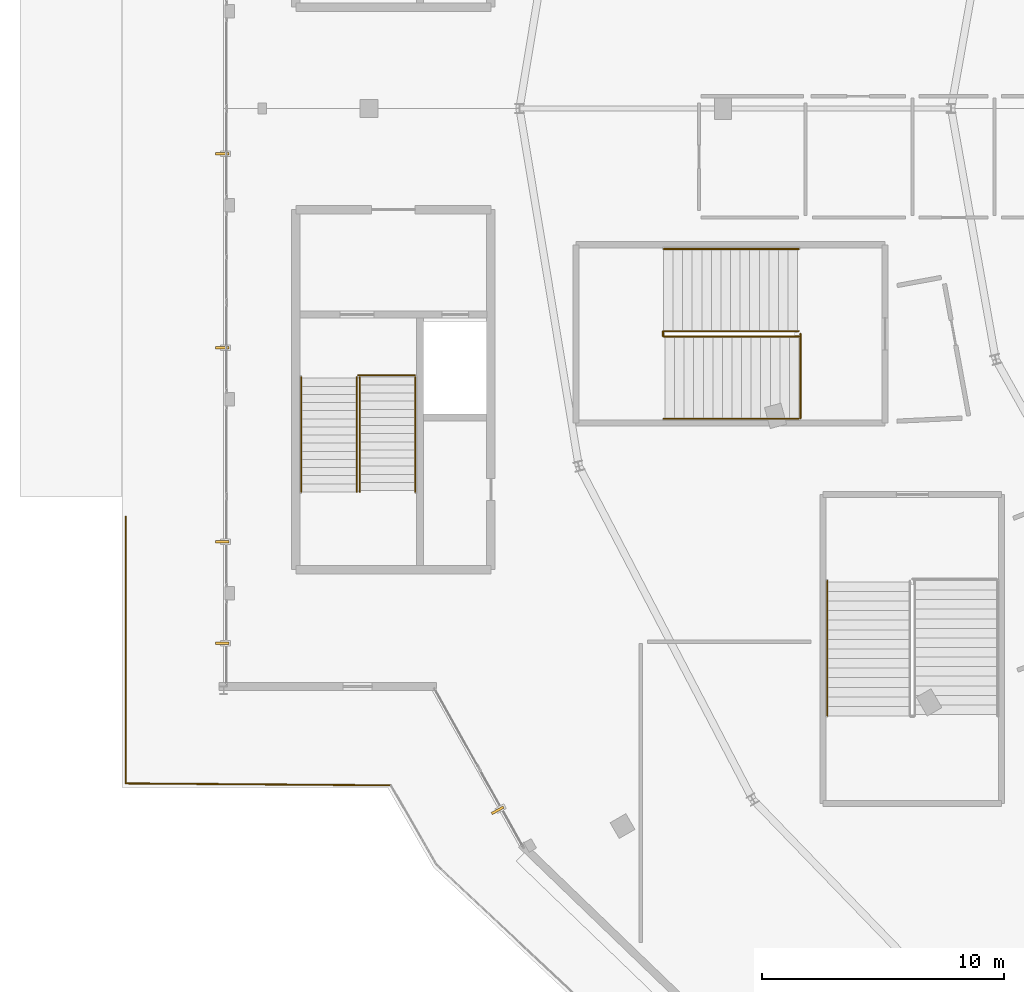
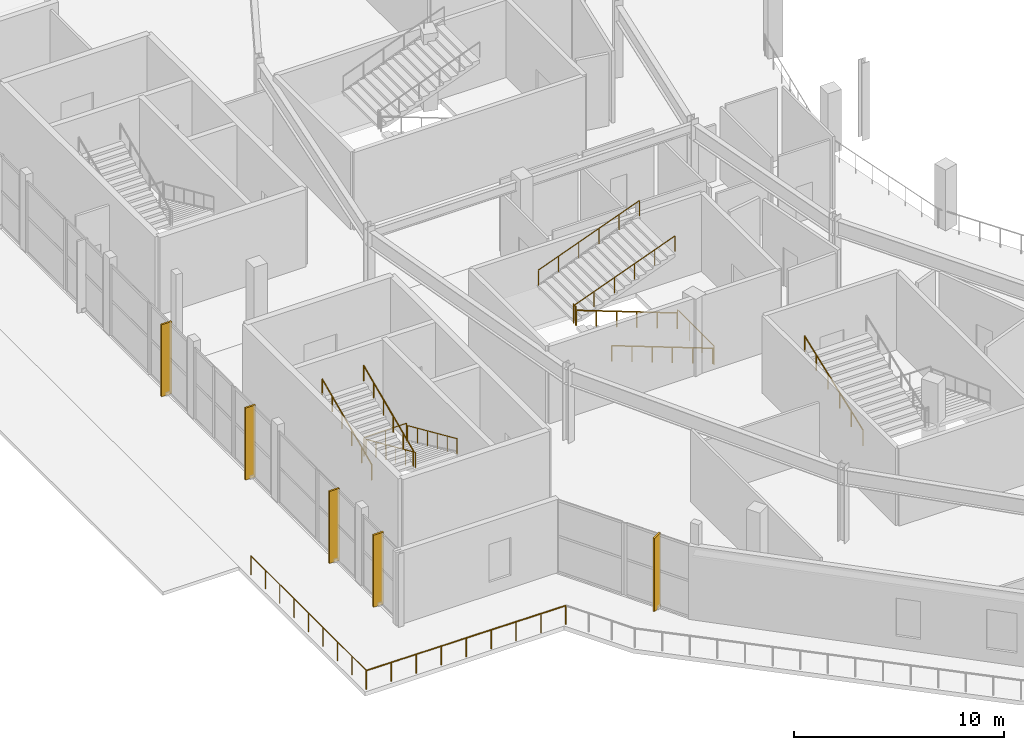
# One storey, part 103 of 123: 14 railings, 5 shading devices.
"""IFC4 building model written with IfcOpenShell, lengths in metres."""

from ifc_helpers import new_model, si_unit, direction, frame, origin, origin_2d, place, context, subcontext, project, spatial, rectangle, circle, extrude, material, layer, layer_set, type_object, element, save


model = new_model("IFC4")

# Units and contexts
model_context = context("Model", 3, precision=1e-05, world=origin(), true_north=direction((0.0, 1.0)))
body_context = subcontext(model_context, "Body", "Model", "MODEL_VIEW")
ifc_project = project(units=[si_unit("LENGTHUNIT", "METRE"), si_unit("AREAUNIT", "SQUARE_METRE"), si_unit("VOLUMEUNIT", "CUBIC_METRE"), si_unit("PLANEANGLEUNIT", "RADIAN"), si_unit("MASSUNIT", "GRAM", prefix="KILO")], contexts=[model_context])

# Site, building, storey
site_placement = place(None, origin())
site = spatial("IfcSite", under=ifc_project, at=site_placement, CompositionType="ELEMENT")
building_placement = place(site_placement, origin())
building = spatial("IfcBuilding", under=site, at=building_placement, Name="Kalgoora Escarpment Arena", CompositionType="ELEMENT")
storey_placement = place(building_placement, frame((0.0, 0.0, 9.89990234375)))
storey = spatial("IfcBuildingStorey", under=building, at=storey_placement, Name="L02", CompositionType="ELEMENT", Elevation=9.89990234375)

# Railings
ifc_material_1 = material(Name="Galvanised & powdercoated tubular steel", Category="steel")
railing_type_1 = type_object("IfcRailingType", Name="RAL-GUARD-1120", PredefinedType="GUARDRAIL", material=ifc_material_1)
railing_1_placement = place(storey_placement, frame((16.2900390625, 52.989990234375, 0.0)))
element("IfcRailing", 1, at=railing_1_placement, inside=storey, type_object=railing_type_1, Name="ST02 L02 floor landing well guard", PredefinedType="GUARDRAIL", context=body_context, shape_type="SweptSolid", body=[
    extrude(circle(Radius=0.02392578125, at=origin_2d()), frame((0.0, 0.0, 1.09619140625), z_axis=(-1.0, 0.0, 0.0), x_axis=(0.0, -1.0, 0.0)), (0.0, 0.0, 1.0), 2.340087890625),
    extrude(circle(Radius=0.02099609375, at=origin_2d()), origin(), (0.0, 0.0, 1.0), 1.072021484375),
    extrude(circle(Radius=0.02099609375, at=origin_2d()), frame((-1.169921875, 0.0, 0.0)), (0.0, 0.0, 1.0), 1.072021484375),
    extrude(circle(Radius=0.02099609375, at=origin_2d()), frame((-2.340087890625, 0.0, 0.0)), (0.0, 0.0, 1.0), 1.072021484375),
])
railing_2_placement = place(storey_placement, frame((26.52001953125, 54.60009765625, 2.25)))
element("IfcRailing", 2, at=railing_2_placement, inside=storey, type_object=railing_type_1, Name="ST18 L02 half-landing well guard", PredefinedType="GUARDRAIL", context=body_context, shape_type="SweptSolid", body=[
    extrude(circle(Radius=0.02392578125, at=origin_2d()), frame((0.0, 0.0, 1.09619140625), z_axis=(0.0, 1.0, 0.0), x_axis=(-1.0, 0.0, 0.0)), (0.0, 0.0, 1.0), 0.199951171875),
    extrude(circle(Radius=0.02099609375, at=origin_2d()), origin(), (0.0, 0.0, 1.0), 1.072021484375),
    extrude(circle(Radius=0.02099609375, at=origin_2d()), frame((0.0, 0.199951171875, 0.0)), (0.0, 0.0, 1.0), 1.072021484375),
])
railing_3_placement = place(storey_placement, frame((32.18994140625, 51.2099609375, 0.0)))
element("IfcRailing", 3, at=railing_3_placement, inside=storey, type_object=railing_type_1, Name="ST18 L02 floor landing well guard", PredefinedType="GUARDRAIL", context=body_context, shape_type="SweptSolid", body=[
    extrude(circle(Radius=0.02392578125, at=origin_2d()), frame((0.0, 0.0, 1.09619140625), z_axis=(0.0, 1.0, 0.0), x_axis=(-1.0, 0.0, 0.0)), (0.0, 0.0, 1.0), 3.489990234375),
    extrude(circle(Radius=0.02099609375, at=origin_2d()), origin(), (0.0, 0.0, 1.0), 1.072021484375),
    extrude(circle(Radius=0.02099609375, at=origin_2d()), frame((0.0, 1.163330078125, 0.0)), (0.0, 0.0, 1.0), 1.072021484375),
    extrude(circle(Radius=0.02099609375, at=origin_2d()), frame((0.0, 2.32666015625, 0.0)), (0.0, 0.0, 1.0), 1.072021484375),
    extrude(circle(Radius=0.02099609375, at=origin_2d()), frame((0.0, 3.489990234375, 0.0)), (0.0, 0.0, 1.0), 1.072021484375),
])
ifc_material_2 = material(Name="Brushed stainless steel 316 handrail", Category="steel")
railing_type_2 = type_object("IfcRailingType", Name="RAL-HAND-920", PredefinedType="HANDRAIL", material=ifc_material_2)
for number, where, name in (
    (4, (16.300048828125, 52.909912109375, 0.110107421875), "ST02 L02 pitched stair handrail F1L"),
    (5, (14.014892578125, 52.909912109375, 0.110107421875), "ST02 L02 pitched stair handrail F1R"),
):
    element("IfcRailing", number, at=place(storey_placement, frame(where)), inside=storey, type_object=railing_type_2, Name=name, PredefinedType="HANDRAIL", context=body_context, shape_type="SweptSolid", body=[
        extrude(circle(Radius=0.02392578125, at=origin_2d()), frame((0.0, 0.0, 0.89599609375), z_axis=(0.0, -0.913643874524, 0.406515523129), x_axis=(1.0, 0.0, 0.0)), (0.0, 0.0, 1.0), 5.166015625),
        extrude(circle(Radius=0.02099609375, at=origin_2d()), origin(), (0.0, 0.0, 1.0), 0.871826171875),
        extrude(circle(Radius=0.02099609375, at=origin_2d()), frame((0.0, -0.944091796875, 0.419921875)), (0.0, 0.0, 1.0), 0.871826171875),
        extrude(circle(Radius=0.02099609375, at=origin_2d()), frame((0.0, -1.887939453125, 0.840087890625)), (0.0, 0.0, 1.0), 0.871826171875),
        extrude(circle(Radius=0.02099609375, at=origin_2d()), frame((0.0, -2.83203125, 1.260009765625)), (0.0, 0.0, 1.0), 0.871826171875),
        extrude(circle(Radius=0.02099609375, at=origin_2d()), frame((0.0, -3.77587890625, 1.68017578125)), (0.0, 0.0, 1.0), 0.871826171875),
        extrude(circle(Radius=0.02099609375, at=origin_2d()), frame((0.0, -4.719970703125, 2.10009765625)), (0.0, 0.0, 1.0), 0.871826171875),
    ])
for number, where, name in (
    (6, (13.885009765625, 48.18994140625, 2.360107421875), "ST02 L02 pitched stair handrail F2L"),
    (7, (11.60009765625, 48.18994140625, 2.360107421875), "ST02 L02 pitched stair handrail F2R"),
):
    element("IfcRailing", number, at=place(storey_placement, frame(where)), inside=storey, type_object=railing_type_2, Name=name, PredefinedType="HANDRAIL", context=body_context, shape_type="SweptSolid", body=[
        extrude(circle(Radius=0.02392578125, at=origin_2d()), frame((0.0, 0.0, 0.89599609375), z_axis=(0.0, 0.913643874524, 0.406515523129), x_axis=(-1.0, 0.0, 0.0)), (0.0, 0.0, 1.0), 5.166015625),
        extrude(circle(Radius=0.02099609375, at=origin_2d()), origin(), (0.0, 0.0, 1.0), 0.871826171875),
        extrude(circle(Radius=0.02099609375, at=origin_2d()), frame((0.0, 0.944091796875, 0.419921875)), (0.0, 0.0, 1.0), 0.871826171875),
        extrude(circle(Radius=0.02099609375, at=origin_2d()), frame((0.0, 1.887939453125, 0.840087890625)), (0.0, 0.0, 1.0), 0.871826171875),
        extrude(circle(Radius=0.02099609375, at=origin_2d()), frame((0.0, 2.83203125, 1.260009765625)), (0.0, 0.0, 1.0), 0.871826171875),
        extrude(circle(Radius=0.02099609375, at=origin_2d()), frame((0.0, 3.77587890625, 1.68017578125)), (0.0, 0.0, 1.0), 0.871826171875),
        extrude(circle(Radius=0.02099609375, at=origin_2d()), frame((0.0, 4.719970703125, 2.10009765625)), (0.0, 0.0, 1.0), 0.871826171875),
    ])
for number, where, name in (
    (8, (32.110107421875, 51.199951171875, 0.110107421875), "ST18 L02 pitched stair handrail F1L"),
    (9, (32.110107421875, 54.590087890625, 0.110107421875), "ST18 L02 pitched stair handrail F1R"),
):
    element("IfcRailing", number, at=place(storey_placement, frame(where)), inside=storey, type_object=railing_type_2, Name=name, PredefinedType="HANDRAIL", context=body_context, shape_type="SweptSolid", body=[
        extrude(circle(Radius=0.02392578125, at=origin_2d()), frame((0.0, 0.0, 0.89599609375), z_axis=(-0.935492612948, 0.0, 0.353346248203), x_axis=(0.0, -1.0, 0.0)), (0.0, 0.0, 1.0), 5.943359375),
        extrude(circle(Radius=0.02099609375, at=origin_2d()), origin(), (0.0, 0.0, 1.0), 0.871826171875),
        extrude(circle(Radius=0.02099609375, at=origin_2d()), frame((-1.112060546875, 0.0, 0.419921875)), (0.0, 0.0, 1.0), 0.871826171875),
        extrude(circle(Radius=0.02099609375, at=origin_2d()), frame((-2.22412109375, 0.0, 0.840087890625)), (0.0, 0.0, 1.0), 0.871826171875),
        extrude(circle(Radius=0.02099609375, at=origin_2d()), frame((-3.3359375, 0.0, 1.260009765625)), (0.0, 0.0, 1.0), 0.871826171875),
        extrude(circle(Radius=0.02099609375, at=origin_2d()), frame((-4.447998046875, 0.0, 1.68017578125)), (0.0, 0.0, 1.0), 0.871826171875),
        extrude(circle(Radius=0.02099609375, at=origin_2d()), frame((-5.56005859375, 0.0, 2.10009765625)), (0.0, 0.0, 1.0), 0.871826171875),
    ])
for number, where, name in (
    (10, (26.550048828125, 54.81005859375, 2.360107421875), "ST18 L02 pitched stair handrail F2L"),
    (11, (26.550048828125, 58.199951171875, 2.360107421875), "ST18 L02 pitched stair handrail F2R"),
):
    element("IfcRailing", number, at=place(storey_placement, frame(where)), inside=storey, type_object=railing_type_2, Name=name, PredefinedType="HANDRAIL", context=body_context, shape_type="SweptSolid", body=[
        extrude(circle(Radius=0.02392578125, at=origin_2d()), frame((0.0, 0.0, 0.89599609375), z_axis=(0.935492612948, 0.0, 0.353346248203), x_axis=(0.0, 1.0, 0.0)), (0.0, 0.0, 1.0), 5.943359375),
        extrude(circle(Radius=0.02099609375, at=origin_2d()), origin(), (0.0, 0.0, 1.0), 0.871826171875),
        extrude(circle(Radius=0.02099609375, at=origin_2d()), frame((1.112060546875, 0.0, 0.419921875)), (0.0, 0.0, 1.0), 0.871826171875),
        extrude(circle(Radius=0.02099609375, at=origin_2d()), frame((2.22412109375, 0.0, 0.840087890625)), (0.0, 0.0, 1.0), 0.871826171875),
        extrude(circle(Radius=0.02099609375, at=origin_2d()), frame((3.3359375, 0.0, 1.260009765625)), (0.0, 0.0, 1.0), 0.871826171875),
        extrude(circle(Radius=0.02099609375, at=origin_2d()), frame((4.447998046875, 0.0, 1.68017578125)), (0.0, 0.0, 1.0), 0.871826171875),
        extrude(circle(Radius=0.02099609375, at=origin_2d()), frame((5.56005859375, 0.0, 2.10009765625)), (0.0, 0.0, 1.0), 0.871826171875),
    ])
railing_4_placement = place(storey_placement, frame((33.300048828125, 38.949951171875, 2.360107421875)))
element("IfcRailing", 12, at=railing_4_placement, inside=storey, type_object=railing_type_2, Name="ST20 L02 pitched stair handrail F2R", PredefinedType="HANDRAIL", context=body_context, shape_type="SweptSolid", body=[
    extrude(circle(Radius=0.02392578125, at=origin_2d()), frame((0.0, 0.0, 0.89599609375), z_axis=(0.0, 0.935492612948, 0.353346248203), x_axis=(-1.0, 0.0, 0.0)), (0.0, 0.0, 1.0), 5.943359375),
    extrude(circle(Radius=0.02099609375, at=origin_2d()), origin(), (0.0, 0.0, 1.0), 0.871826171875),
    extrude(circle(Radius=0.02099609375, at=origin_2d()), frame((0.0, 1.112060546875, 0.419921875)), (0.0, 0.0, 1.0), 0.871826171875),
    extrude(circle(Radius=0.02099609375, at=origin_2d()), frame((0.0, 2.22412109375, 0.840087890625)), (0.0, 0.0, 1.0), 0.871826171875),
    extrude(circle(Radius=0.02099609375, at=origin_2d()), frame((0.0, 3.3359375, 1.260009765625)), (0.0, 0.0, 1.0), 0.871826171875),
    extrude(circle(Radius=0.02099609375, at=origin_2d()), frame((0.0, 4.447998046875, 1.68017578125)), (0.0, 0.0, 1.0), 0.871826171875),
    extrude(circle(Radius=0.02099609375, at=origin_2d()), frame((0.0, 5.56005859375, 2.10009765625)), (0.0, 0.0, 1.0), 0.871826171875),
])
ifc_material_3 = material(Name="Champagne anodised aluminium & laminated glass", Category="aluminium")
railing_type_3 = type_object("IfcRailingType", Name="RAL-TERR-1100", PredefinedType="GUARDRAIL", material=ifc_material_3)
railing_5_placement = place(storey_placement, frame((15.294921875, 36.079833984375, 0.0)))
element("IfcRailing", 13, at=railing_5_placement, inside=storey, type_object=railing_type_3, Name="Middle Planted Elliptical Garden Promenade perimeter guardrail 005", PredefinedType="GUARDRAIL", context=body_context, shape_type="SweptSolid", body=[
    extrude(circle(Radius=0.02392578125, at=origin_2d()), frame((0.0, 0.0, 1.09619140625), z_axis=(-0.999973186254, 0.007323030322, 0.0), x_axis=(-0.007323030322, -0.999973186254, 0.0)), (0.0, 0.0, 1.0), 10.93505859375),
    extrude(circle(Radius=0.02099609375, at=origin_2d()), origin(), (0.0, 0.0, 1.0), 1.072021484375),
    extrude(circle(Radius=0.02099609375, at=origin_2d()), frame((-1.366943359375, 0.010009765625, 0.0)), (0.0, 0.0, 1.0), 1.072021484375),
    extrude(circle(Radius=0.02099609375, at=origin_2d()), frame((-2.733642578125, 0.02001953125, 0.0)), (0.0, 0.0, 1.0), 1.072021484375),
    extrude(circle(Radius=0.02099609375, at=origin_2d()), frame((-4.1005859375, 0.030029296875, 0.0)), (0.0, 0.0, 1.0), 1.072021484375),
    extrude(circle(Radius=0.02099609375, at=origin_2d()), frame((-5.46728515625, 0.0400390625, 0.0)), (0.0, 0.0, 1.0), 1.072021484375),
    extrude(circle(Radius=0.02099609375, at=origin_2d()), frame((-6.834228515625, 0.050048828125, 0.0)), (0.0, 0.0, 1.0), 1.072021484375),
    extrude(circle(Radius=0.02099609375, at=origin_2d()), frame((-8.201171875, 0.06005859375, 0.0)), (0.0, 0.0, 1.0), 1.072021484375),
    extrude(circle(Radius=0.02099609375, at=origin_2d()), frame((-9.56787109375, 0.070068359375, 0.0)), (0.0, 0.0, 1.0), 1.072021484375),
    extrude(circle(Radius=0.02099609375, at=origin_2d()), frame((-10.934814453125, 0.080078125, 0.0)), (0.0, 0.0, 1.0), 1.072021484375),
])
railing_6_placement = place(storey_placement, frame((4.360107421875, 36.159912109375, 0.0)))
element("IfcRailing", 14, at=railing_6_placement, inside=storey, type_object=railing_type_3, Name="Middle Planted Elliptical Garden Promenade perimeter guardrail 006", PredefinedType="GUARDRAIL", context=body_context, shape_type="SweptSolid", body=[
    extrude(circle(Radius=0.02392578125, at=origin_2d()), frame((0.0, 0.0, 1.09619140625), z_axis=(0.0, 1.0, 0.0), x_axis=(-1.0, 0.0, 0.0)), (0.0, 0.0, 1.0), 11.005615234375),
    extrude(circle(Radius=0.02099609375, at=origin_2d()), origin(), (0.0, 0.0, 1.0), 1.072021484375),
    extrude(circle(Radius=0.02099609375, at=origin_2d()), frame((0.0, 1.375732421875, 0.0)), (0.0, 0.0, 1.0), 1.072021484375),
    extrude(circle(Radius=0.02099609375, at=origin_2d()), frame((0.0, 2.75146484375, 0.0)), (0.0, 0.0, 1.0), 1.072021484375),
    extrude(circle(Radius=0.02099609375, at=origin_2d()), frame((0.0, 4.127197265625, 0.0)), (0.0, 0.0, 1.0), 1.072021484375),
    extrude(circle(Radius=0.02099609375, at=origin_2d()), frame((0.0, 5.5029296875, 0.0)), (0.0, 0.0, 1.0), 1.072021484375),
    extrude(circle(Radius=0.02099609375, at=origin_2d()), frame((0.0, 6.87841796875, 0.0)), (0.0, 0.0, 1.0), 1.072021484375),
    extrude(circle(Radius=0.02099609375, at=origin_2d()), frame((0.0, 8.254150390625, 0.0)), (0.0, 0.0, 1.0), 1.072021484375),
    extrude(circle(Radius=0.02099609375, at=origin_2d()), frame((0.0, 9.6298828125, 0.0)), (0.0, 0.0, 1.0), 1.072021484375),
    extrude(circle(Radius=0.02099609375, at=origin_2d()), frame((0.0, 11.005615234375, 0.0)), (0.0, 0.0, 1.0), 1.072021484375),
])

# Shading devices
ifc_material_4 = material(Name="Champagne anodised extruded aluminium", Category="aluminium")
ifc_layer = layer(ifc_material_4, 0.080078125)
ifc_layer_set = layer_set([ifc_layer], Name="SHD-FIN-CHAMP")
shading_device_type = type_object("IfcShadingDeviceType", Name="SHD-FIN-CHAMP", PredefinedType="USERDEFINED", material=ifc_layer_set)
shading_device_placement = place(storey_placement, frame((19.69970703125, 35.0498046875, 0.0), z_axis=(0.0, 0.0, 1.0), x_axis=(-0.872325392932, -0.488925770283, 0.0)))
element("IfcShadingDevice", 15, at=shading_device_placement, inside=storey, type_object=shading_device_type, Name="L02 champagne anodised solar fin 08", ObjectType="FIN", PredefinedType="USERDEFINED", context=body_context, shape_type="SweptSolid", body=[
    extrude(rectangle(XDim=0.56005859375, YDim=0.10009765625, at=origin_2d()), origin(), (0.0, 0.0, 1.0), 4.264892578125),
])
for number, where, z_axis, x_axis, name in (
    (16, (8.340087890625, 41.938232421875, 0.000244140625), (0.0, 0.0, 1.0), (-1.0, 0.0, 0.0), "L02 champagne anodised solar fin 09"),
    (17, (8.340087890625, 46.132080078125, 0.000244140625), (0.0, 0.0, 1.0), (-1.0, 0.0, 0.0), "L02 champagne anodised solar fin 10"),
    (18, (8.340087890625, 54.132080078125, 0.000244140625), (0.0, 0.0, 1.0), (-1.0, 0.0, 0.0), "L02 champagne anodised solar fin 11"),
    (19, (8.340087890625, 62.132080078125, 0.000244140625), (0.0, 0.0, 1.0), (-1.0, 0.0, 0.0), "L02 champagne anodised solar fin 12"),
):
    element("IfcShadingDevice", number, at=place(storey_placement, frame(where, z_axis=z_axis, x_axis=x_axis)), inside=storey, type_object=shading_device_type, Name=name, ObjectType="FIN", PredefinedType="USERDEFINED", context=body_context, shape_type="SweptSolid", body=[
        extrude(rectangle(XDim=0.56005859375, YDim=0.10009765625, at=origin_2d()), origin(), (0.0, 0.0, 1.0), 4.18994140625),
    ])

save(model, "model.ifc")
